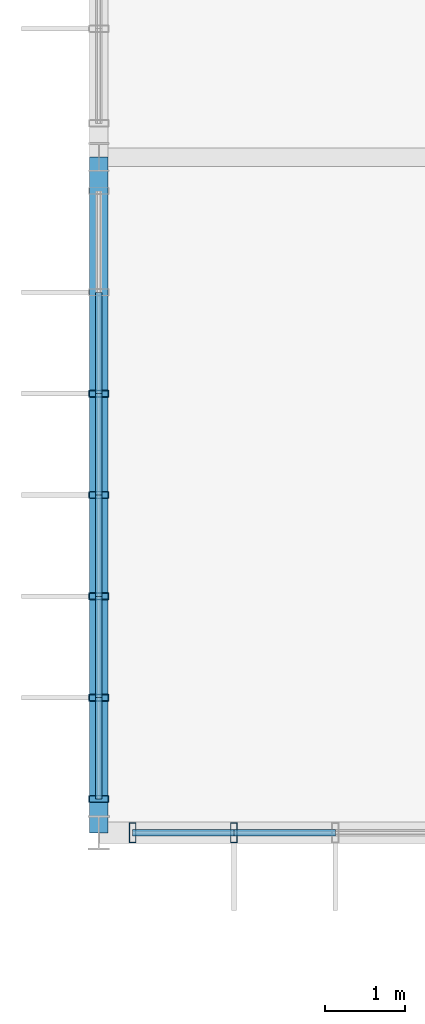
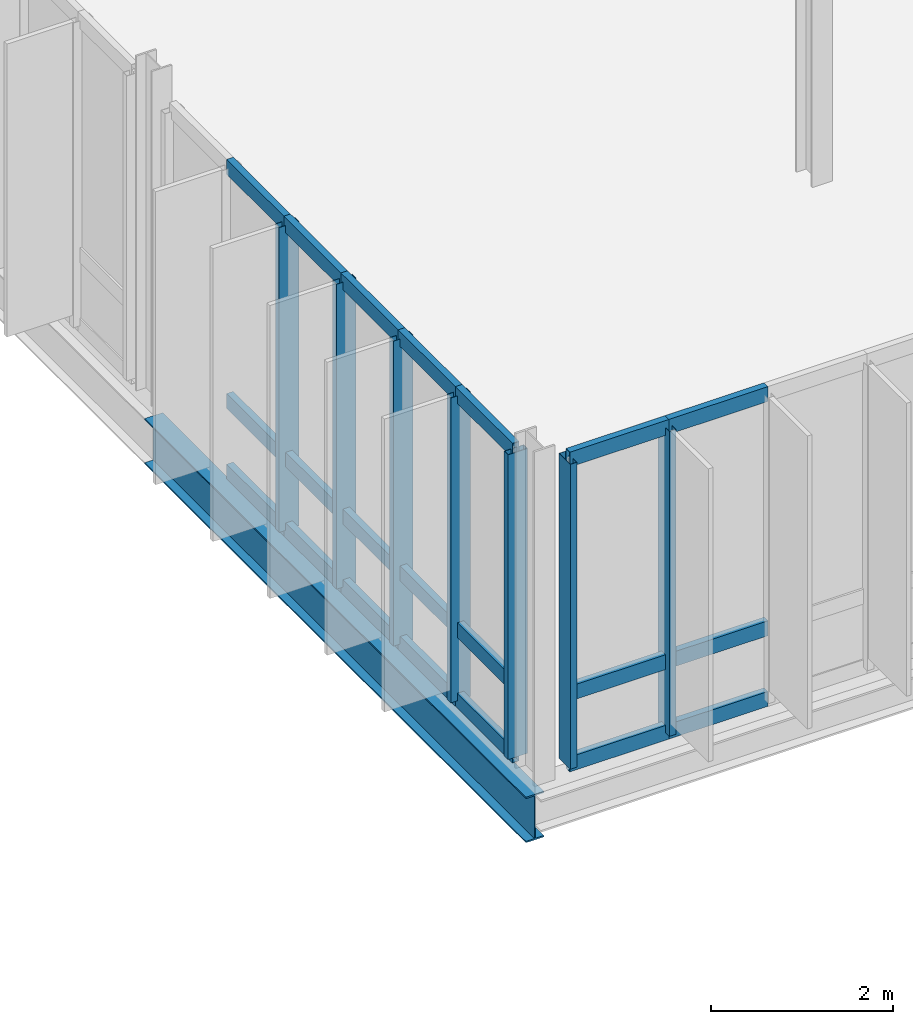
# One storey, part 19 of 139: 28 members, 1 beam, 2 elements without a shape of their own.
"""IFC4 building model written with IfcOpenShell, lengths in metres."""

from ifc_helpers import new_model, si_unit, derived_unit, direction, frame, origin, origin_2d, place, context, subcontext, project, spatial, hollow_rectangle, i_section, extrude, material, layer, layer_set, material_profile, profile_set, type_object, element, aggregate, save


model = new_model("IFC4")

# Units and contexts
model_context = context("Model", 3, precision=1e-05, world=origin(), true_north=direction((0.0, 1.0)))
body_context = subcontext(model_context, "Body", "Model", "MODEL_VIEW")
ifc_project = project(units=[si_unit("LENGTHUNIT", "METRE"), si_unit("AREAUNIT", "SQUARE_METRE"), si_unit("VOLUMEUNIT", "CUBIC_METRE"), si_unit("PLANEANGLEUNIT", "RADIAN"), si_unit("MASSUNIT", "GRAM", prefix="KILO"), derived_unit("THERMALTRANSMITTANCEUNIT", [(si_unit("MASSUNIT", "GRAM", prefix="KILO"), 1), (si_unit("TIMEUNIT", "SECOND"), -3), (si_unit("THERMODYNAMICTEMPERATUREUNIT", "KELVIN"), -1)])], contexts=[model_context])

# Site, building, storey
site_placement = place(None, origin())
site = spatial("IfcSite", under=ifc_project, at=site_placement, CompositionType="ELEMENT")
building_placement = place(site_placement, origin())
building = spatial("IfcBuilding", under=site, at=building_placement, Name="Makaiwela Harbour Ferry Terminal", CompositionType="ELEMENT")
storey_placement = place(building_placement, frame((0.0, 0.0, 5.10009765625)))
storey = spatial("IfcBuildingStorey", under=building, at=storey_placement, Name="L01", CompositionType="ELEMENT", Elevation=5.10009765625)

# Curtain wall, members
ifc_material_1 = material(Name="Marine anodised aluminium 6063-T6", Category="aluminium")
ifc_layer = layer(ifc_material_1, 0.199951171875)
ifc_layer_set = layer_set([ifc_layer], Name="Marine anodised aluminium 6063-T6")
curtain_wall_type = type_object("IfcCurtainWallType", Name="ENV-CW-08", PredefinedType="USERDEFINED", material=ifc_layer_set)
curtain_wall_1_placement = place(storey_placement, origin())
curtain_wall_1 = element("IfcCurtainWall", 1, at=curtain_wall_1_placement, inside=storey, type_object=curtain_wall_type, Name="Unitised Curtain Wall CWA-098", ObjectType="UNITIZED CURTAIN WALL", PredefinedType="USERDEFINED")
ifc_material_profile_1 = material_profile(ifc_material_1, hollow_rectangle(XDim=0.0849609375, YDim=0.25, WallThickness=0.0048828125, at=origin_2d()), Name="CWM-250X85")
ifc_profile_set_1 = profile_set([ifc_material_profile_1], Name="Marine anodised aluminium 6063-T6")
member_type_1 = type_object("IfcMemberType", Name="CW-MUL-250", PredefinedType="MULLION", material=ifc_profile_set_1)
member_1_placement = place(storey_placement, frame((31.080078125, 25.199951171875, 0.0), z_axis=(0.0, 0.0, 1.0), x_axis=(1.0, 0.0, 0.0)))
member_1 = element("IfcMember", 2, at=member_1_placement, type_object=member_type_1, Name="Curtain Wall Mullion CWA-098-6", PredefinedType="MULLION", context=body_context, shape_type="SweptSolid", body=[
    extrude(hollow_rectangle(XDim=0.0849609375, YDim=0.25, WallThickness=0.0048828125, at=origin_2d()), origin(), (0.0, 0.0, 1.0), 4.099853515625),
])
member_2_placement = place(storey_placement, frame((29.820068359375, 25.199951171875, 0.0), z_axis=(0.0, 0.0, 1.0), x_axis=(1.0, 0.0, 0.0)))
member_2 = element("IfcMember", 3, at=member_2_placement, type_object=member_type_1, Name="Curtain Wall Mullion CWA-098-7", PredefinedType="MULLION", context=body_context, shape_type="SweptSolid", body=[
    extrude(hollow_rectangle(XDim=0.0849609375, YDim=0.25, WallThickness=0.0048828125, at=origin_2d()), origin(), (0.0, 0.0, 1.0), 4.099853515625),
])

curtain_wall_2_placement = place(storey_placement, origin())
curtain_wall_2 = element("IfcCurtainWall", 4, at=curtain_wall_2_placement, inside=storey, type_object=curtain_wall_type, Name="Unitised Curtain Wall CWA-115", ObjectType="UNITIZED CURTAIN WALL", PredefinedType="USERDEFINED")
member_3_placement = place(storey_placement, frame((29.39990234375, 25.6201171875, 0.0), z_axis=(0.0, 0.0, 1.0), x_axis=(0.0, 1.0, 0.0)))
member_3 = element("IfcMember", 5, at=member_3_placement, type_object=member_type_1, Name="Curtain Wall Mullion CWA-115-1", PredefinedType="MULLION", context=body_context, shape_type="SweptSolid", body=[
    extrude(hollow_rectangle(XDim=0.0849609375, YDim=0.25, WallThickness=0.0048828125, at=origin_2d()), origin(), (0.0, 0.0, 1.0), 4.099853515625),
])
member_4_placement = place(storey_placement, frame((29.39990234375, 26.8798828125, 0.0), z_axis=(0.0, 0.0, 1.0), x_axis=(0.0, 1.0, 0.0)))
member_4 = element("IfcMember", 6, at=member_4_placement, type_object=member_type_1, Name="Curtain Wall Mullion CWA-115-2", PredefinedType="MULLION", context=body_context, shape_type="SweptSolid", body=[
    extrude(hollow_rectangle(XDim=0.0849609375, YDim=0.25, WallThickness=0.0048828125, at=origin_2d()), origin(), (0.0, 0.0, 1.0), 4.099853515625),
])
member_5_placement = place(storey_placement, frame((29.39990234375, 28.139892578125, 0.0), z_axis=(0.0, 0.0, 1.0), x_axis=(0.0, 1.0, 0.0)))
member_5 = element("IfcMember", 7, at=member_5_placement, type_object=member_type_1, Name="Curtain Wall Mullion CWA-115-3", PredefinedType="MULLION", context=body_context, shape_type="SweptSolid", body=[
    extrude(hollow_rectangle(XDim=0.0849609375, YDim=0.25, WallThickness=0.0048828125, at=origin_2d()), origin(), (0.0, 0.0, 1.0), 4.099853515625),
])
member_6_placement = place(storey_placement, frame((29.39990234375, 29.39990234375, 0.0), z_axis=(0.0, 0.0, 1.0), x_axis=(0.0, 1.0, 0.0)))
member_6 = element("IfcMember", 8, at=member_6_placement, type_object=member_type_1, Name="Curtain Wall Mullion CWA-115-4", PredefinedType="MULLION", context=body_context, shape_type="SweptSolid", body=[
    extrude(hollow_rectangle(XDim=0.0849609375, YDim=0.25, WallThickness=0.0048828125, at=origin_2d()), origin(), (0.0, 0.0, 1.0), 4.099853515625),
])
member_7_placement = place(storey_placement, frame((29.39990234375, 30.659912109375, 0.0), z_axis=(0.0, 0.0, 1.0), x_axis=(0.0, 1.0, 0.0)))
member_7 = element("IfcMember", 9, at=member_7_placement, type_object=member_type_1, Name="Curtain Wall Mullion CWA-115-5", PredefinedType="MULLION", context=body_context, shape_type="SweptSolid", body=[
    extrude(hollow_rectangle(XDim=0.0849609375, YDim=0.25, WallThickness=0.0048828125, at=origin_2d()), origin(), (0.0, 0.0, 1.0), 4.099853515625),
])

# Member
ifc_material_profile_2 = material_profile(ifc_material_1, hollow_rectangle(XDim=0.0849609375, YDim=0.199951171875, WallThickness=0.0048828125, at=origin_2d()), Name="CWT-200X85")
ifc_profile_set_2 = profile_set([ifc_material_profile_2], Name="Marine anodised aluminium 6063-T6")
member_type_2 = type_object("IfcMemberType", Name="CW-TRN-200", PredefinedType="USERDEFINED", material=ifc_profile_set_2)
member_8_placement = place(storey_placement, frame((32.340087890625, 25.199951171875, 0.0), z_axis=(-1.0, 0.0, 0.0), x_axis=(0.0, -1.0, 0.0)))
member_8 = element("IfcMember", 10, at=member_8_placement, type_object=member_type_2, Name="Curtain Wall Transom CWA-098-5-1", ObjectType="TRANSOM", PredefinedType="USERDEFINED", context=body_context, shape_type="SweptSolid", body=[
    extrude(hollow_rectangle(XDim=0.0849609375, YDim=0.199951171875, WallThickness=0.0048828125, at=origin_2d()), origin(), (0.0, 0.0, 1.0), 1.260009765625),
])

member_9_placement = place(storey_placement, frame((32.340087890625, 25.199951171875, 0.949951171875), z_axis=(-1.0, 0.0, 0.0), x_axis=(0.0, -1.0, 0.0)))
member_9 = element("IfcMember", 11, at=member_9_placement, type_object=member_type_2, Name="Curtain Wall Transom CWA-098-5-2", ObjectType="TRANSOM", PredefinedType="USERDEFINED", context=body_context, shape_type="SweptSolid", body=[
    extrude(hollow_rectangle(XDim=0.0849609375, YDim=0.199951171875, WallThickness=0.0048828125, at=origin_2d()), origin(), (0.0, 0.0, 1.0), 1.260009765625),
])

member_10_placement = place(storey_placement, frame((32.340087890625, 25.199951171875, 4.099853515625), z_axis=(-1.0, 0.0, 0.0), x_axis=(0.0, -1.0, 0.0)))
member_10 = element("IfcMember", 12, at=member_10_placement, type_object=member_type_2, Name="Curtain Wall Transom CWA-098-5-3", ObjectType="TRANSOM", PredefinedType="USERDEFINED", context=body_context, shape_type="SweptSolid", body=[
    extrude(hollow_rectangle(XDim=0.0849609375, YDim=0.199951171875, WallThickness=0.0048828125, at=origin_2d()), origin(), (0.0, 0.0, 1.0), 1.260009765625),
])

member_11_placement = place(storey_placement, frame((31.080078125, 25.199951171875, 0.0), z_axis=(-1.0, 0.0, 0.0), x_axis=(0.0, -1.0, 0.0)))
member_11 = element("IfcMember", 13, at=member_11_placement, type_object=member_type_2, Name="Curtain Wall Transom CWA-098-6-1", ObjectType="TRANSOM", PredefinedType="USERDEFINED", context=body_context, shape_type="SweptSolid", body=[
    extrude(hollow_rectangle(XDim=0.0849609375, YDim=0.199951171875, WallThickness=0.0048828125, at=origin_2d()), origin(), (0.0, 0.0, 1.0), 1.260009765625),
])

member_12_placement = place(storey_placement, frame((31.080078125, 25.199951171875, 0.949951171875), z_axis=(-1.0, 0.0, 0.0), x_axis=(0.0, -1.0, 0.0)))
member_12 = element("IfcMember", 14, at=member_12_placement, type_object=member_type_2, Name="Curtain Wall Transom CWA-098-6-2", ObjectType="TRANSOM", PredefinedType="USERDEFINED", context=body_context, shape_type="SweptSolid", body=[
    extrude(hollow_rectangle(XDim=0.0849609375, YDim=0.199951171875, WallThickness=0.0048828125, at=origin_2d()), origin(), (0.0, 0.0, 1.0), 1.260009765625),
])

member_13_placement = place(storey_placement, frame((31.080078125, 25.199951171875, 4.099853515625), z_axis=(-1.0, 0.0, 0.0), x_axis=(0.0, -1.0, 0.0)))
member_13 = element("IfcMember", 15, at=member_13_placement, type_object=member_type_2, Name="Curtain Wall Transom CWA-098-6-3", ObjectType="TRANSOM", PredefinedType="USERDEFINED", context=body_context, shape_type="SweptSolid", body=[
    extrude(hollow_rectangle(XDim=0.0849609375, YDim=0.199951171875, WallThickness=0.0048828125, at=origin_2d()), origin(), (0.0, 0.0, 1.0), 1.260009765625),
])

aggregate(curtain_wall_1, [member_1, member_2, member_8, member_9, member_10, member_11, member_12, member_13])

member_14_placement = place(storey_placement, frame((29.39990234375, 25.6201171875, 0.0), z_axis=(0.0, 1.0, 0.0), x_axis=(-1.0, 0.0, 0.0)))
member_14 = element("IfcMember", 16, at=member_14_placement, type_object=member_type_2, Name="Curtain Wall Transom CWA-115-1-1", ObjectType="TRANSOM", PredefinedType="USERDEFINED", context=body_context, shape_type="SweptSolid", body=[
    extrude(hollow_rectangle(XDim=0.0849609375, YDim=0.199951171875, WallThickness=0.0048828125, at=origin_2d()), origin(), (0.0, 0.0, 1.0), 1.259765625),
])

member_15_placement = place(storey_placement, frame((29.39990234375, 25.6201171875, 0.949951171875), z_axis=(0.0, 1.0, 0.0), x_axis=(-1.0, 0.0, 0.0)))
member_15 = element("IfcMember", 17, at=member_15_placement, type_object=member_type_2, Name="Curtain Wall Transom CWA-115-1-2", ObjectType="TRANSOM", PredefinedType="USERDEFINED", context=body_context, shape_type="SweptSolid", body=[
    extrude(hollow_rectangle(XDim=0.0849609375, YDim=0.199951171875, WallThickness=0.0048828125, at=origin_2d()), origin(), (0.0, 0.0, 1.0), 1.259765625),
])

member_16_placement = place(storey_placement, frame((29.39990234375, 25.6201171875, 4.099853515625), z_axis=(0.0, 1.0, 0.0), x_axis=(-1.0, 0.0, 0.0)))
member_16 = element("IfcMember", 18, at=member_16_placement, type_object=member_type_2, Name="Curtain Wall Transom CWA-115-1-3", ObjectType="TRANSOM", PredefinedType="USERDEFINED", context=body_context, shape_type="SweptSolid", body=[
    extrude(hollow_rectangle(XDim=0.0849609375, YDim=0.199951171875, WallThickness=0.0048828125, at=origin_2d()), origin(), (0.0, 0.0, 1.0), 1.259765625),
])

member_17_placement = place(storey_placement, frame((29.39990234375, 26.8798828125, 0.0), z_axis=(0.0, 1.0, 0.0), x_axis=(-1.0, 0.0, 0.0)))
member_17 = element("IfcMember", 19, at=member_17_placement, type_object=member_type_2, Name="Curtain Wall Transom CWA-115-2-1", ObjectType="TRANSOM", PredefinedType="USERDEFINED", context=body_context, shape_type="SweptSolid", body=[
    extrude(hollow_rectangle(XDim=0.0849609375, YDim=0.199951171875, WallThickness=0.0048828125, at=origin_2d()), origin(), (0.0, 0.0, 1.0), 1.260009765625),
])

member_18_placement = place(storey_placement, frame((29.39990234375, 26.8798828125, 0.949951171875), z_axis=(0.0, 1.0, 0.0), x_axis=(-1.0, 0.0, 0.0)))
member_18 = element("IfcMember", 20, at=member_18_placement, type_object=member_type_2, Name="Curtain Wall Transom CWA-115-2-2", ObjectType="TRANSOM", PredefinedType="USERDEFINED", context=body_context, shape_type="SweptSolid", body=[
    extrude(hollow_rectangle(XDim=0.0849609375, YDim=0.199951171875, WallThickness=0.0048828125, at=origin_2d()), origin(), (0.0, 0.0, 1.0), 1.260009765625),
])

member_19_placement = place(storey_placement, frame((29.39990234375, 26.8798828125, 4.099853515625), z_axis=(0.0, 1.0, 0.0), x_axis=(-1.0, 0.0, 0.0)))
member_19 = element("IfcMember", 21, at=member_19_placement, type_object=member_type_2, Name="Curtain Wall Transom CWA-115-2-3", ObjectType="TRANSOM", PredefinedType="USERDEFINED", context=body_context, shape_type="SweptSolid", body=[
    extrude(hollow_rectangle(XDim=0.0849609375, YDim=0.199951171875, WallThickness=0.0048828125, at=origin_2d()), origin(), (0.0, 0.0, 1.0), 1.260009765625),
])

member_20_placement = place(storey_placement, frame((29.39990234375, 28.139892578125, 0.0), z_axis=(0.0, 1.0, 0.0), x_axis=(-1.0, 0.0, 0.0)))
member_20 = element("IfcMember", 22, at=member_20_placement, type_object=member_type_2, Name="Curtain Wall Transom CWA-115-3-1", ObjectType="TRANSOM", PredefinedType="USERDEFINED", context=body_context, shape_type="SweptSolid", body=[
    extrude(hollow_rectangle(XDim=0.0849609375, YDim=0.199951171875, WallThickness=0.0048828125, at=origin_2d()), origin(), (0.0, 0.0, 1.0), 1.260009765625),
])

member_21_placement = place(storey_placement, frame((29.39990234375, 28.139892578125, 0.949951171875), z_axis=(0.0, 1.0, 0.0), x_axis=(-1.0, 0.0, 0.0)))
member_21 = element("IfcMember", 23, at=member_21_placement, type_object=member_type_2, Name="Curtain Wall Transom CWA-115-3-2", ObjectType="TRANSOM", PredefinedType="USERDEFINED", context=body_context, shape_type="SweptSolid", body=[
    extrude(hollow_rectangle(XDim=0.0849609375, YDim=0.199951171875, WallThickness=0.0048828125, at=origin_2d()), origin(), (0.0, 0.0, 1.0), 1.260009765625),
])

member_22_placement = place(storey_placement, frame((29.39990234375, 28.139892578125, 4.099853515625), z_axis=(0.0, 1.0, 0.0), x_axis=(-1.0, 0.0, 0.0)))
member_22 = element("IfcMember", 24, at=member_22_placement, type_object=member_type_2, Name="Curtain Wall Transom CWA-115-3-3", ObjectType="TRANSOM", PredefinedType="USERDEFINED", context=body_context, shape_type="SweptSolid", body=[
    extrude(hollow_rectangle(XDim=0.0849609375, YDim=0.199951171875, WallThickness=0.0048828125, at=origin_2d()), origin(), (0.0, 0.0, 1.0), 1.260009765625),
])

member_23_placement = place(storey_placement, frame((29.39990234375, 29.39990234375, 0.0), z_axis=(0.0, 1.0, 0.0), x_axis=(-1.0, 0.0, 0.0)))
member_23 = element("IfcMember", 25, at=member_23_placement, type_object=member_type_2, Name="Curtain Wall Transom CWA-115-4-1", ObjectType="TRANSOM", PredefinedType="USERDEFINED", context=body_context, shape_type="SweptSolid", body=[
    extrude(hollow_rectangle(XDim=0.0849609375, YDim=0.199951171875, WallThickness=0.0048828125, at=origin_2d()), origin(), (0.0, 0.0, 1.0), 1.260009765625),
])

member_24_placement = place(storey_placement, frame((29.39990234375, 29.39990234375, 0.949951171875), z_axis=(0.0, 1.0, 0.0), x_axis=(-1.0, 0.0, 0.0)))
member_24 = element("IfcMember", 26, at=member_24_placement, type_object=member_type_2, Name="Curtain Wall Transom CWA-115-4-2", ObjectType="TRANSOM", PredefinedType="USERDEFINED", context=body_context, shape_type="SweptSolid", body=[
    extrude(hollow_rectangle(XDim=0.0849609375, YDim=0.199951171875, WallThickness=0.0048828125, at=origin_2d()), origin(), (0.0, 0.0, 1.0), 1.260009765625),
])

member_25_placement = place(storey_placement, frame((29.39990234375, 29.39990234375, 4.099853515625), z_axis=(0.0, 1.0, 0.0), x_axis=(-1.0, 0.0, 0.0)))
member_25 = element("IfcMember", 27, at=member_25_placement, type_object=member_type_2, Name="Curtain Wall Transom CWA-115-4-3", ObjectType="TRANSOM", PredefinedType="USERDEFINED", context=body_context, shape_type="SweptSolid", body=[
    extrude(hollow_rectangle(XDim=0.0849609375, YDim=0.199951171875, WallThickness=0.0048828125, at=origin_2d()), origin(), (0.0, 0.0, 1.0), 1.260009765625),
])

member_26_placement = place(storey_placement, frame((29.39990234375, 30.659912109375, 0.0), z_axis=(0.0, 1.0, 0.0), x_axis=(-1.0, 0.0, 0.0)))
member_26 = element("IfcMember", 28, at=member_26_placement, type_object=member_type_2, Name="Curtain Wall Transom CWA-115-5-1", ObjectType="TRANSOM", PredefinedType="USERDEFINED", context=body_context, shape_type="SweptSolid", body=[
    extrude(hollow_rectangle(XDim=0.0849609375, YDim=0.199951171875, WallThickness=0.0048828125, at=origin_2d()), origin(), (0.0, 0.0, 1.0), 1.260009765625),
])

member_27_placement = place(storey_placement, frame((29.39990234375, 30.659912109375, 0.949951171875), z_axis=(0.0, 1.0, 0.0), x_axis=(-1.0, 0.0, 0.0)))
member_27 = element("IfcMember", 29, at=member_27_placement, type_object=member_type_2, Name="Curtain Wall Transom CWA-115-5-2", ObjectType="TRANSOM", PredefinedType="USERDEFINED", context=body_context, shape_type="SweptSolid", body=[
    extrude(hollow_rectangle(XDim=0.0849609375, YDim=0.199951171875, WallThickness=0.0048828125, at=origin_2d()), origin(), (0.0, 0.0, 1.0), 1.260009765625),
])

member_28_placement = place(storey_placement, frame((29.39990234375, 30.659912109375, 4.099853515625), z_axis=(0.0, 1.0, 0.0), x_axis=(-1.0, 0.0, 0.0)))
member_28 = element("IfcMember", 30, at=member_28_placement, type_object=member_type_2, Name="Curtain Wall Transom CWA-115-5-3", ObjectType="TRANSOM", PredefinedType="USERDEFINED", context=body_context, shape_type="SweptSolid", body=[
    extrude(hollow_rectangle(XDim=0.0849609375, YDim=0.199951171875, WallThickness=0.0048828125, at=origin_2d()), origin(), (0.0, 0.0, 1.0), 1.260009765625),
])

aggregate(curtain_wall_2, [member_3, member_4, member_5, member_6, member_7, member_14, member_15, member_16, member_17, member_18, member_19, member_20, member_21, member_22, member_23, member_24, member_25, member_26, member_27, member_28])

# Beam
ifc_material_2 = material(Name="Steel ASTM A992 Grade 50", Category="steel")
ifc_material_profile_3 = material_profile(ifc_material_2, i_section(OverallWidth=0.22900390625, OverallDepth=0.612060546875, WebThickness=0.011962890625, FlangeThickness=0.01953125, at=origin_2d()), Name="W24X84")
ifc_profile_set_3 = profile_set([ifc_material_profile_3], Name="Steel ASTM A992 Grade 50")
beam_type = type_object("IfcBeamType", Name="STR-GRD-W24X84", PredefinedType="USERDEFINED", material=ifc_profile_set_3)
beam_placement = place(storey_placement, frame((29.39990234375, 25.199951171875, -0.586181640625), z_axis=(0.0, 1.0, 0.0), x_axis=(-1.0, 0.0, 0.0)))
element("IfcBeam", 31, at=beam_placement, inside=storey, type_object=beam_type, Name="Primary Y girder 907", ObjectType="GIRDER", PredefinedType="USERDEFINED", context=body_context, shape_type="SweptSolid", body=[
    extrude(i_section(OverallWidth=0.22900390625, OverallDepth=0.612060546875, WebThickness=0.011962890625, FlangeThickness=0.01953125, at=origin_2d()), origin(), (0.0, 0.0, 1.0), 8.400146484375),
])

save(model, "model.ifc")
